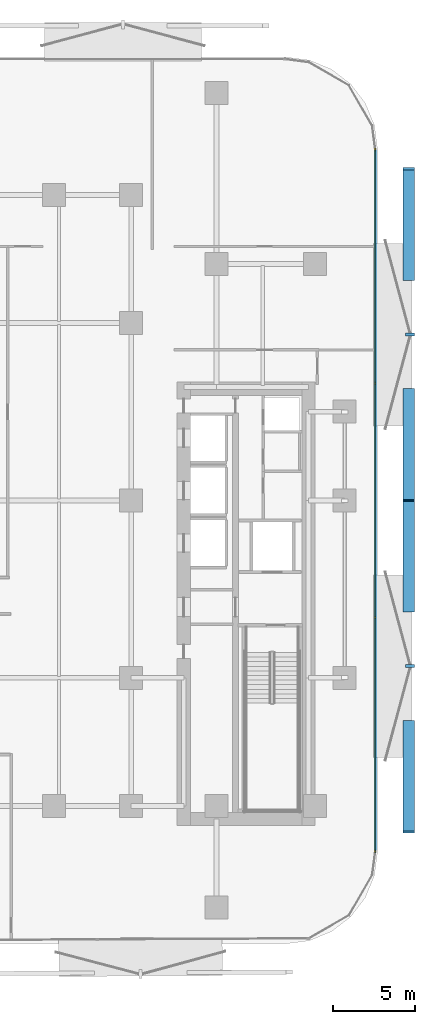
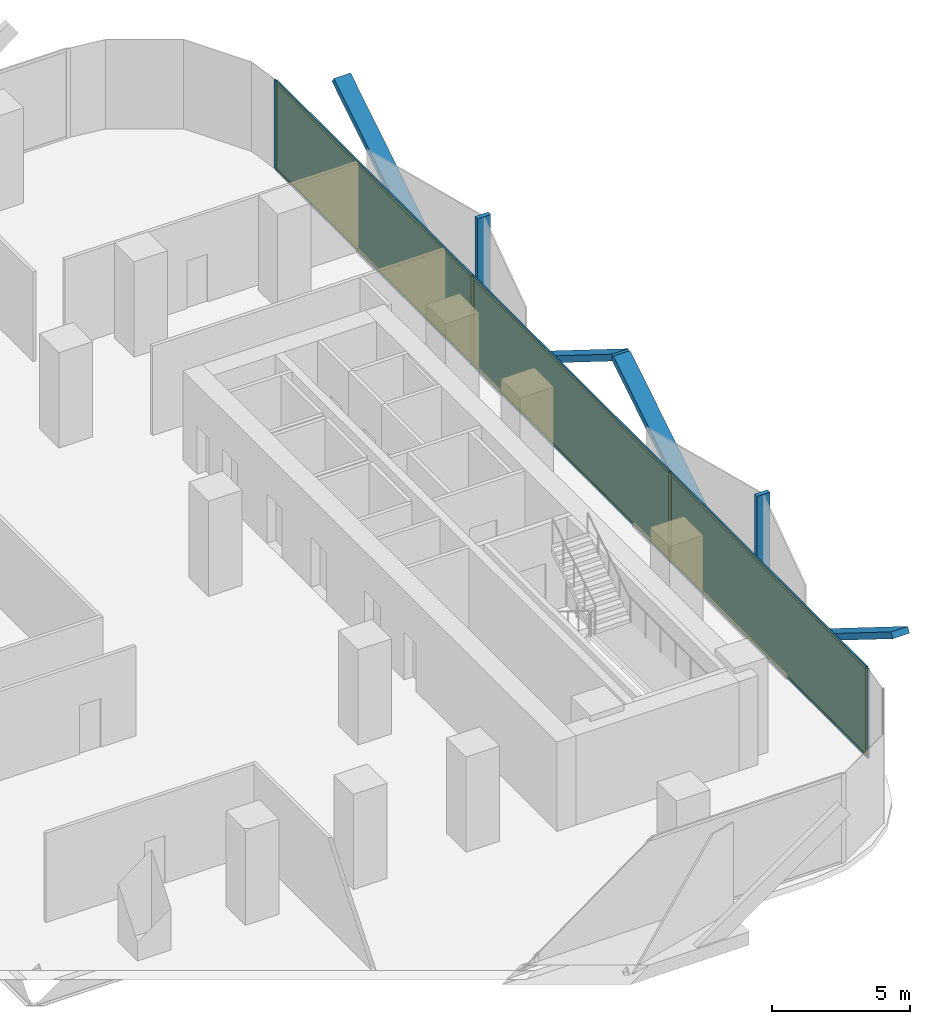
# One storey, part 9 of 15: 16 members, 3 plates, 1 curtain wall.
"""IFC4 building model written with IfcOpenShell, lengths in metres."""

from ifc_helpers import new_model, si_unit, direction, frame, frame_2d, origin, origin_2d, place, context, subcontext, project, spatial, rectangle, extrude, material, layer, layer_set, material_profile, profile_set, type_object, element, aggregate, save


model = new_model("IFC4")

# Units and contexts
model_context = context("Model", 3, precision=1e-05, world=origin(), true_north=direction((0.0, 1.0)))
body_context = subcontext(model_context, "Body", "Model", "MODEL_VIEW")
ifc_project = project(units=[si_unit("LENGTHUNIT", "METRE"), si_unit("AREAUNIT", "SQUARE_METRE"), si_unit("VOLUMEUNIT", "CUBIC_METRE"), si_unit("PLANEANGLEUNIT", "RADIAN"), si_unit("MASSUNIT", "GRAM", prefix="KILO")], contexts=[model_context])

# Member
ifc_material_1 = material(Name="Anodised Bronze Aluminium 6063-T6", Category="aluminium")
ifc_material_profile_1 = material_profile(ifc_material_1, rectangle(XDim=0.260009765625, YDim=0.699951171875, at=origin_2d()))
ifc_profile_set_1 = profile_set([ifc_material_profile_1], Name="Anodised Bronze Aluminium 6063-T6")
member_type_1 = type_object("IfcMemberType", Name="Bronze Diamond Solar-Screen Lattice Rib BDL-700", PredefinedType="MULLION", material=ifc_profile_set_1)
site_placement = place(None, origin())
building_placement = place(site_placement, origin())
storey_placement = place(building_placement, frame((0.0, 0.0, 72.199951171875)))
member_1_placement = place(storey_placement, frame((26.10009765625, 6.730224609375, -0.1298828125), z_axis=(0.0, -0.848362902952, 0.529415134744), x_axis=(0.0, -0.529415134744, -0.848362902952)))
member_1 = element("IfcMember", 1, at=member_1_placement, type_object=member_type_1, Name="L17 Bronze Diamond Solar Screen Lattice Rib 95A", PredefinedType="MULLION", context=body_context, shape_type="SweptSolid", body=[
    extrude(rectangle(XDim=0.260009765625, YDim=0.699951171875, at=origin_2d()), origin(), (0.0, 0.0, 1.0), 7.93310546875),
])

member_2_placement = place(storey_placement, frame((26.10009765625, 13.46044921875, -0.1298828125), z_axis=(0.0, 0.848371528126, 0.529401313057), x_axis=(0.0, 0.529401313057, -0.848371528126)))
member_2 = element("IfcMember", 2, at=member_2_placement, type_object=member_type_1, Name="L17 Bronze Diamond Solar Screen Lattice Rib 95B", PredefinedType="MULLION", context=body_context, shape_type="SweptSolid", body=[
    extrude(rectangle(XDim=0.260009765625, YDim=0.699951171875, at=origin_2d()), origin(), (0.0, 0.0, 1.0), 7.933349609375),
])

member_3_placement = place(storey_placement, frame((26.10009765625, -13.46044921875, -0.1298828125), z_axis=(0.0, -0.848371528126, 0.529401313057), x_axis=(0.0, -0.529401313057, -0.848371528126)))
member_3 = element("IfcMember", 3, at=member_3_placement, type_object=member_type_1, Name="L17 Bronze Diamond Solar Screen Lattice Rib 96A", PredefinedType="MULLION", context=body_context, shape_type="SweptSolid", body=[
    extrude(rectangle(XDim=0.260009765625, YDim=0.699951171875, at=origin_2d()), origin(), (0.0, 0.0, 1.0), 7.933349609375),
])

member_4_placement = place(storey_placement, frame((26.10009765625, -6.730224609375, -0.1298828125), z_axis=(0.0, 0.848362902952, 0.529415134744), x_axis=(0.0, 0.529415134744, -0.848362902952)))
member_4 = element("IfcMember", 4, at=member_4_placement, type_object=member_type_1, Name="L17 Bronze Diamond Solar Screen Lattice Rib 96B", PredefinedType="MULLION", context=body_context, shape_type="SweptSolid", body=[
    extrude(rectangle(XDim=0.260009765625, YDim=0.699951171875, at=origin_2d()), origin(), (0.0, 0.0, 1.0), 7.93310546875),
])

ifc_material_2 = material(Name="Anodised Bronze Aluminium 6063-T6", Category="aluminium")
ifc_material_profile_2 = material_profile(ifc_material_2, rectangle(XDim=0.179931640625, YDim=0.5400390625, at=origin_2d()))
ifc_profile_set_2 = profile_set([ifc_material_profile_2], Name="Anodised Bronze Aluminium 6063-T6")
member_type_2 = type_object("IfcMemberType", Name="Bronze Solar-Screen Vertical Fold Fin BSF-540", PredefinedType="MULLION", material=ifc_profile_set_2)
member_5_placement = place(storey_placement, frame((26.179931640625, 10.095458984375, -0.1298828125), z_axis=(0.0, 0.0, 1.0), x_axis=(0.0, -1.0, 0.0)))
member_5 = element("IfcMember", 5, at=member_5_placement, type_object=member_type_2, Name="L17 Bronze Solar Screen Vertical Fin 95", PredefinedType="MULLION", context=body_context, shape_type="SweptSolid", body=[
    extrude(rectangle(XDim=0.179931640625, YDim=0.5400390625, at=origin_2d()), origin(), (0.0, 0.0, 1.0), 4.199951171875),
])

member_6_placement = place(storey_placement, frame((26.179931640625, -10.095458984375, -0.1298828125), z_axis=(0.0, 0.0, 1.0), x_axis=(0.0, -1.0, 0.0)))
member_6 = element("IfcMember", 6, at=member_6_placement, type_object=member_type_2, Name="L17 Bronze Solar Screen Vertical Fin 96", PredefinedType="MULLION", context=body_context, shape_type="SweptSolid", body=[
    extrude(rectangle(XDim=0.179931640625, YDim=0.5400390625, at=origin_2d()), origin(), (0.0, 0.0, 1.0), 4.199951171875),
])

ifc_material_3 = material(Name="Anodised Bronze Aluminium 6063-T6", Category="aluminium")
ifc_material_profile_3 = material_profile(ifc_material_3, rectangle(XDim=0.06494140625, YDim=0.179931640625, at=origin_2d()))
ifc_profile_set_3 = profile_set([ifc_material_profile_3], Name="Anodised Bronze Aluminium 6063-T6")
member_type_3 = type_object("IfcMemberType", Name="CW-Z1 Mullion 65x180", PredefinedType="MULLION", material=ifc_profile_set_3)
member_7_placement = place(storey_placement, frame((24.06005859375, 21.3583984375, 0.0), z_axis=(0.0, 0.0, 1.0), x_axis=(1.0, 0.0, 0.0)))
member_7 = element("IfcMember", 7, at=member_7_placement, type_object=member_type_3, Name="CW-Z1 mullion 1", PredefinedType="MULLION", context=body_context, shape_type="SweptSolid", body=[
    extrude(rectangle(XDim=0.06494140625, YDim=0.179931640625, at=origin_2d()), origin(), (0.0, 0.0, 1.0), 3.93994140625),
])

member_8_placement = place(storey_placement, frame((24.06005859375, 7.13037109375, 0.0), z_axis=(0.0, 0.0, 1.0), x_axis=(1.0, 0.0, 0.0)))
member_8 = element("IfcMember", 8, at=member_8_placement, type_object=member_type_3, Name="CW-Z1 mullion 2", PredefinedType="MULLION", context=body_context, shape_type="SweptSolid", body=[
    extrude(rectangle(XDim=0.06494140625, YDim=0.179931640625, at=origin_2d()), origin(), (0.0, 0.0, 1.0), 3.93994140625),
])

member_9_placement = place(storey_placement, frame((24.06005859375, -7.13037109375, 0.0), z_axis=(0.0, 0.0, 1.0), x_axis=(1.0, 0.0, 0.0)))
member_9 = element("IfcMember", 9, at=member_9_placement, type_object=member_type_3, Name="CW-Z1 mullion 3", PredefinedType="MULLION", context=body_context, shape_type="SweptSolid", body=[
    extrude(rectangle(XDim=0.06494140625, YDim=0.179931640625, at=origin_2d()), origin(), (0.0, 0.0, 1.0), 3.93994140625),
])

member_10_placement = place(storey_placement, frame((24.06005859375, -21.3583984375, 0.0), z_axis=(0.0, 0.0, 1.0), x_axis=(1.0, 0.0, 0.0)))
member_10 = element("IfcMember", 10, at=member_10_placement, type_object=member_type_3, Name="CW-Z1 mullion 4", PredefinedType="MULLION", context=body_context, shape_type="SweptSolid", body=[
    extrude(rectangle(XDim=0.06494140625, YDim=0.179931640625, at=origin_2d()), origin(), (0.0, 0.0, 1.0), 3.93994140625),
])

ifc_material_4 = material(Name="Anodised Bronze Aluminium 6063-T6", Category="aluminium")
ifc_material_profile_4 = material_profile(ifc_material_4, rectangle(XDim=0.06494140625, YDim=0.139892578125, at=origin_2d()))
ifc_profile_set_4 = profile_set([ifc_material_profile_4], Name="Anodised Bronze Aluminium 6063-T6")
member_type_4 = type_object("IfcMemberType", Name="CW-Z1 Transom 65x140", PredefinedType="USERDEFINED", material=ifc_profile_set_4)
member_11_placement = place(storey_placement, frame((24.06005859375, 21.32568359375, 0.032470703125), z_axis=(0.0, -1.0, 0.0), x_axis=(1.0, 0.0, 0.0)))
member_11 = element("IfcMember", 11, at=member_11_placement, type_object=member_type_4, Name="CW-Z1 transom 1.1", ObjectType="TRANSOM", PredefinedType="USERDEFINED", context=body_context, shape_type="SweptSolid", body=[
    extrude(rectangle(XDim=0.06494140625, YDim=0.139892578125, at=origin_2d()), origin(), (0.0, 0.0, 1.0), 14.162841796875),
])

member_12_placement = place(storey_placement, frame((24.06005859375, 21.32568359375, 3.907470703125), z_axis=(0.0, -1.0, 0.0), x_axis=(1.0, 0.0, 0.0)))
member_12 = element("IfcMember", 12, at=member_12_placement, type_object=member_type_4, Name="CW-Z1 transom 1.2", ObjectType="TRANSOM", PredefinedType="USERDEFINED", context=body_context, shape_type="SweptSolid", body=[
    extrude(rectangle(XDim=0.06494140625, YDim=0.139892578125, at=origin_2d()), origin(), (0.0, 0.0, 1.0), 14.162841796875),
])

member_13_placement = place(storey_placement, frame((24.06005859375, 7.09765625, 0.032470703125), z_axis=(0.0, -1.0, 0.0), x_axis=(1.0, 0.0, 0.0)))
member_13 = element("IfcMember", 13, at=member_13_placement, type_object=member_type_4, Name="CW-Z1 transom 2.1", ObjectType="TRANSOM", PredefinedType="USERDEFINED", context=body_context, shape_type="SweptSolid", body=[
    extrude(rectangle(XDim=0.06494140625, YDim=0.139892578125, at=origin_2d()), origin(), (0.0, 0.0, 1.0), 14.1953125),
])

member_14_placement = place(storey_placement, frame((24.06005859375, 7.09765625, 3.907470703125), z_axis=(0.0, -1.0, 0.0), x_axis=(1.0, 0.0, 0.0)))
member_14 = element("IfcMember", 14, at=member_14_placement, type_object=member_type_4, Name="CW-Z1 transom 2.2", ObjectType="TRANSOM", PredefinedType="USERDEFINED", context=body_context, shape_type="SweptSolid", body=[
    extrude(rectangle(XDim=0.06494140625, YDim=0.139892578125, at=origin_2d()), origin(), (0.0, 0.0, 1.0), 14.1953125),
])

member_15_placement = place(storey_placement, frame((24.06005859375, -7.162841796875, 0.032470703125), z_axis=(0.0, -1.0, 0.0), x_axis=(1.0, 0.0, 0.0)))
member_15 = element("IfcMember", 15, at=member_15_placement, type_object=member_type_4, Name="CW-Z1 transom 3.1", ObjectType="TRANSOM", PredefinedType="USERDEFINED", context=body_context, shape_type="SweptSolid", body=[
    extrude(rectangle(XDim=0.06494140625, YDim=0.139892578125, at=origin_2d()), origin(), (0.0, 0.0, 1.0), 14.162841796875),
])

member_16_placement = place(storey_placement, frame((24.06005859375, -7.162841796875, 3.907470703125), z_axis=(0.0, -1.0, 0.0), x_axis=(1.0, 0.0, 0.0)))
member_16 = element("IfcMember", 16, at=member_16_placement, type_object=member_type_4, Name="CW-Z1 transom 3.2", ObjectType="TRANSOM", PredefinedType="USERDEFINED", context=body_context, shape_type="SweptSolid", body=[
    extrude(rectangle(XDim=0.06494140625, YDim=0.139892578125, at=origin_2d()), origin(), (0.0, 0.0, 1.0), 14.162841796875),
])

# Plate
ifc_material_5 = material(Name="Low-E Solar Control Laminated Glass", Category="glass")
ifc_layer_1 = layer(ifc_material_5, 0.028076171875, Name="Low-E Solar Control Laminated Glass")
ifc_layer_set_1 = layer_set([ifc_layer_1], Name="Low-E Solar Control Laminated Glass")
plate_type = type_object("IfcPlateType", Name="CW-Z1 Low-E Double Glazed Panel 28mm", PredefinedType="CURTAIN_PANEL", material=ifc_layer_set_1)
plate_1_placement = place(storey_placement, frame((24.06005859375, 14.244384765625, 0.06494140625), z_axis=(0.0, 0.0, 1.0), x_axis=(0.0, -1.0, 0.0)))
plate_1 = element("IfcPlate", 17, at=plate_1_placement, type_object=plate_type, Name="CW-Z1 panel 1.1", PredefinedType="CURTAIN_PANEL", context=body_context, shape_type="SweptSolid", body=[
    extrude(rectangle(XDim=14.1630859375, YDim=0.028076171875, at=origin_2d()), origin(), (0.0, 0.0, 1.0), 3.81005859375),
])

plate_2_placement = place(storey_placement, frame((24.06005859375, 0.0, 0.06494140625), z_axis=(0.0, 0.0, 1.0), x_axis=(0.0, -1.0, 0.0)))
plate_2 = element("IfcPlate", 18, at=plate_2_placement, type_object=plate_type, Name="CW-Z1 panel 2.1", PredefinedType="CURTAIN_PANEL", context=body_context, shape_type="SweptSolid", body=[
    extrude(rectangle(XDim=14.195556640625, YDim=0.028076171875, at=origin_2d()), origin(), (0.0, 0.0, 1.0), 3.81005859375),
])

plate_3_placement = place(storey_placement, frame((24.06005859375, -14.244384765625, 0.06494140625), z_axis=(0.0, 0.0, 1.0), x_axis=(0.0, -1.0, 0.0)))
plate_3 = element("IfcPlate", 19, at=plate_3_placement, type_object=plate_type, Name="CW-Z1 panel 3.1", PredefinedType="CURTAIN_PANEL", context=body_context, shape_type="SweptSolid", body=[
    extrude(rectangle(XDim=14.1630859375, YDim=0.028076171875, at=origin_2d()), origin(), (0.0, 0.0, 1.0), 3.81005859375),
])

# Site, building, storey
site = spatial("IfcSite", under=ifc_project, at=site_placement, CompositionType="ELEMENT")
building = spatial("IfcBuilding", under=site, at=building_placement, Name="Khairoan Windgate Tower", CompositionType="ELEMENT")
storey = spatial("IfcBuildingStorey", under=building, at=storey_placement, Name="L17", CompositionType="ELEMENT", Elevation=72.199951171875)

# Curtain wall
ifc_material_6 = material(Name="Anodised Bronze Aluminium 6063-T6", Category="aluminium")
ifc_layer_2 = layer(ifc_material_6, 0.179931640625, Name="Anodised Bronze Aluminium 6063-T6")
ifc_layer_set_2 = layer_set([ifc_layer_2], Name="Anodised Bronze Aluminium 6063-T6")
curtain_wall_type = type_object("IfcCurtainWallType", Name="Low-Rise Office Unitised Curtain Wall CW-Z1", PredefinedType="NOTDEFINED", material=ifc_layer_set_2)
curtain_wall_placement = place(storey_placement, frame((24.06005859375, 21.390869140625, 0.0), z_axis=(0.0, 0.0, 1.0), x_axis=(0.0, -1.0, 0.0)))
curtain_wall = element("IfcCurtainWall", 20, at=curtain_wall_placement, inside=storey, type_object=curtain_wall_type, Name="L17 Unitised Curtain Wall 16", PredefinedType="NOTDEFINED", context=body_context, shape_type="SweptSolid", body=[
    extrude(rectangle(XDim=42.78173828125, YDim=0.010009765625, at=frame_2d((21.390869140625, 0.0))), origin(), (0.0, 0.0, 1.0), 3.93994140625),
])

aggregate(curtain_wall, [member_7, member_8, member_9, member_10, member_11, member_12, plate_1, member_13, member_14, plate_2, member_15, member_16, plate_3, member_1, member_2, member_5, member_3, member_4, member_6])

save(model, "model.ifc")
